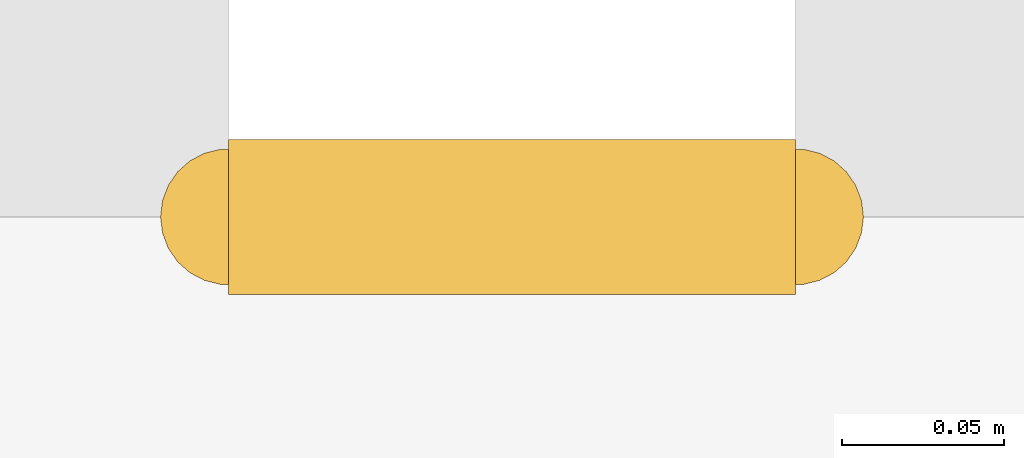
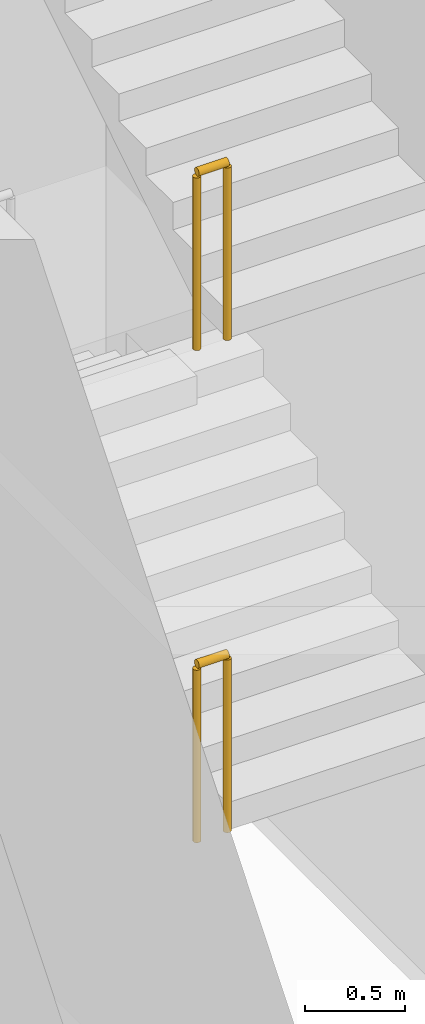
# One storey, part 21 of 25: 2 railings.
"""IFC4 building model written with IfcOpenShell, lengths in metres."""

from ifc_helpers import new_model, si_unit, direction, frame, origin, origin_2d, place, context, subcontext, project, spatial, circle, extrude, material, type_object, element, save


model = new_model("IFC4")

# Units and contexts
model_context = context("Model", 3, precision=1e-05, world=origin(), true_north=direction((0.0, 1.0)))
body_context = subcontext(model_context, "Body", "Model", "MODEL_VIEW")
ifc_project = project(units=[si_unit("LENGTHUNIT", "METRE"), si_unit("AREAUNIT", "SQUARE_METRE"), si_unit("VOLUMEUNIT", "CUBIC_METRE"), si_unit("PLANEANGLEUNIT", "RADIAN"), si_unit("MASSUNIT", "GRAM", prefix="KILO")], contexts=[model_context])

# Site, building, storey
site_placement = place(None, origin())
site = spatial("IfcSite", under=ifc_project, at=site_placement, CompositionType="ELEMENT")
building_placement = place(site_placement, origin())
building = spatial("IfcBuilding", under=site, at=building_placement, Name="Isbrekke Arena Tower", CompositionType="ELEMENT")
storey_placement = place(building_placement, frame((0.0, 0.0, 6.0)))
storey = spatial("IfcBuildingStorey", under=building, at=storey_placement, Name="L01", CompositionType="ELEMENT", Elevation=6.0)

# Railings
ifc_material = material(Name="Steel stair guard, vertical bars, steel handrail", Category="steel")
railing_type = type_object("IfcRailingType", Name="GR3 STAIR WELL GUARD 1100", PredefinedType="GUARDRAIL", material=ifc_material)
for number, where, name in (
    (1, (-12.0, 19.840087890625, 1.5), "GR3 stair well guard ST1 L01"),
    (2, (-12.0, 19.840087890625, 4.5), "GR3 stair well guard ST1 L01"),
):
    element("IfcRailing", number, at=place(storey_placement, frame(where)), inside=storey, type_object=railing_type, Name=name, PredefinedType="GUARDRAIL", context=body_context, shape_type="SweptSolid", body=[
        extrude(circle(Radius=0.02392578125, at=origin_2d()), frame((0.0, 0.0, 1.076171875), z_axis=(1.0, 0.0, 0.0), x_axis=(0.0, 1.0, 0.0)), (0.0, 0.0, 1.0), 0.175048828125),
        extrude(circle(Radius=0.02099609375, at=origin_2d()), origin(), (0.0, 0.0, 1.0), 1.052001953125),
        extrude(circle(Radius=0.02099609375, at=origin_2d()), frame((0.175048828125, 0.0, 0.0)), (0.0, 0.0, 1.0), 1.052001953125),
    ])

save(model, "model.ifc")
